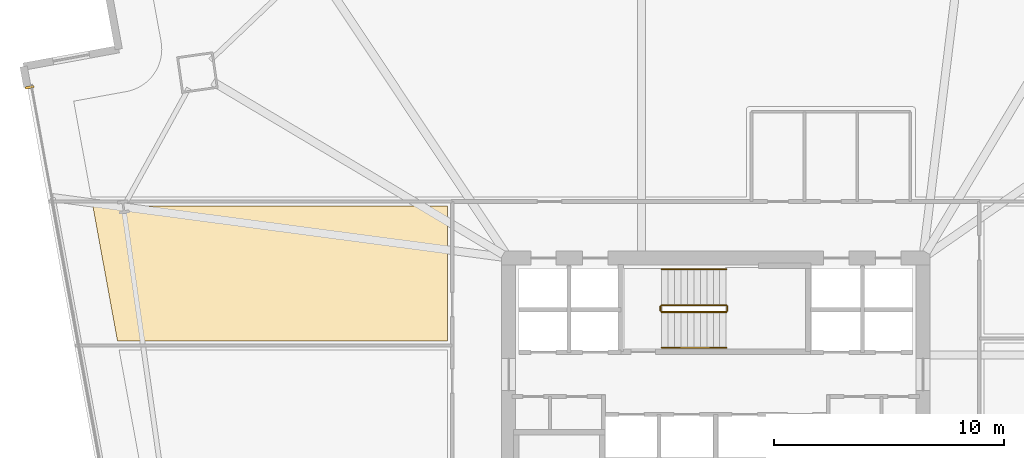
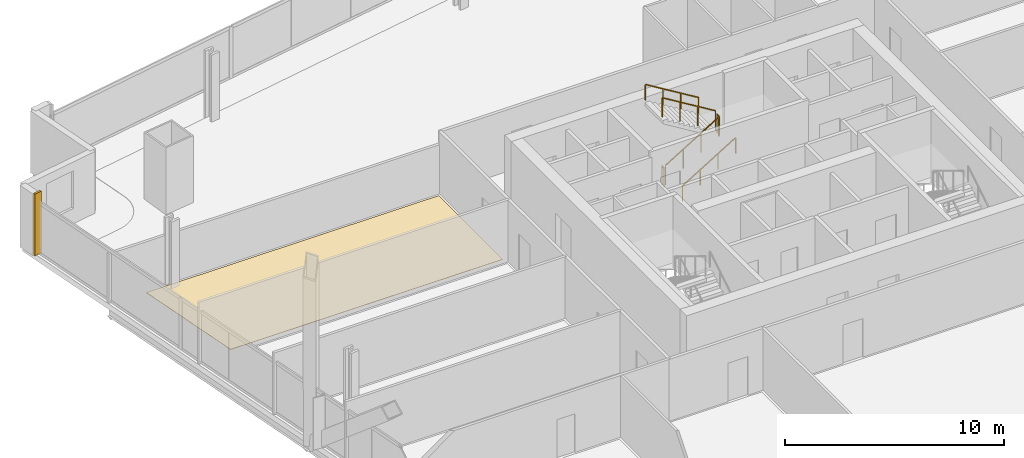
# One storey, part 33 of 34: 6 railings, 2 coverings.
"""IFC4 building model written with IfcOpenShell, lengths in metres."""

from ifc_helpers import new_model, si_unit, direction, frame, origin, origin_2d, place, context, subcontext, project, spatial, polyline, rectangle, outline, extrude, source, transform, mapped, material, layer, layer_set, type_object, element, save


model = new_model("IFC4")

# Units and contexts
model_context = context("Model", 3, precision=1e-05, world=origin(), true_north=direction((0.0, 1.0)))
body_context = subcontext(model_context, "Body", "Model", "MODEL_VIEW")
ifc_project = project(units=[si_unit("LENGTHUNIT", "METRE"), si_unit("AREAUNIT", "SQUARE_METRE"), si_unit("VOLUMEUNIT", "CUBIC_METRE"), si_unit("PLANEANGLEUNIT", "RADIAN"), si_unit("MASSUNIT", "GRAM", prefix="KILO")], contexts=[model_context])

# Site, building, storey
site_placement = place(None, origin())
site = spatial("IfcSite", under=ifc_project, at=site_placement, CompositionType="ELEMENT")
building_placement = place(site_placement, origin())
building = spatial("IfcBuilding", under=site, at=building_placement, Name="Haldenkirk Collegiate Tower", CompositionType="ELEMENT")
storey_placement = place(building_placement, frame((0.0, 0.0, 62.699951171875)))
storey = spatial("IfcBuildingStorey", under=building, at=storey_placement, Name="L14", CompositionType="ELEMENT", Elevation=62.699951171875)

# Covering
ifc_material_1 = material(Name="Engineered collegiate oak acoustic flooring", Category="wood")
ifc_layer_1 = layer(ifc_material_1, 0.02197265625)
ifc_layer_set_1 = layer_set([ifc_layer_1], Name="Engineered collegiate oak acoustic flooring")
covering_type_1 = type_object("IfcCoveringType", Name="COV-FLOOR-TIMBER", PredefinedType="FLOORING", material=ifc_layer_set_1)
covering_1_placement = place(storey_placement, origin())
element("IfcCovering", 1, at=covering_1_placement, inside=storey, type_object=covering_type_1, Name="L14 academic room finish 09", PredefinedType="FLOORING", context=body_context, shape_type="SweptSolid", body=[
    extrude(outline(polyline([(8.93798828125, 36.25), (24.35009765625, 36.25), (24.35009765625, 30.39990234375), (10.006591796875, 30.39990234375), (8.93798828125, 36.25)])), origin(), (0.0, 0.0, 1.0), 0.02197265625),
])

# Railings
ifc_material_2 = material(Name="Painted architectural tubular steel", Category="steel")
railing_type_1 = type_object("IfcRailingType", Name="RLG-STAIR-GUARD-1100", PredefinedType="BALUSTRADE", material=ifc_material_2)
railing_1_placement = place(storey_placement, frame((33.64990234375, 31.64990234375, 0.17041015625)))
element("IfcRailing", 2, at=railing_1_placement, inside=storey, type_object=railing_type_1, Name="L14 ST-3 stair guard 1", PredefinedType="BALUSTRADE", context=body_context, shape_type="SweptSolid", body=[
    extrude(rectangle(XDim=0.048095703125, YDim=0.048095703125, at=origin_2d()), frame((0.0, 0.0, 1.076171875), z_axis=(0.854169791009, 0.0, 0.51999420009), x_axis=(0.0, 1.0, 0.0)), (0.0, 0.0, 1.0), 3.278076171875),
    extrude(rectangle(XDim=0.0419921875, YDim=0.0419921875, at=origin_2d()), origin(), (0.0, 0.0, 1.0), 1.052001953125),
    extrude(rectangle(XDim=0.0419921875, YDim=0.0419921875, at=origin_2d()), frame((0.933349609375, 0.0, 0.568115234375)), (0.0, 0.0, 1.0), 1.052001953125),
    extrude(rectangle(XDim=0.0419921875, YDim=0.0419921875, at=origin_2d()), frame((1.86669921875, 0.0, 1.136474609375)), (0.0, 0.0, 1.0), 1.052001953125),
    extrude(rectangle(XDim=0.0419921875, YDim=0.0419921875, at=origin_2d()), frame((2.800048828125, 0.0, 1.70458984375)), (0.0, 0.0, 1.0), 1.052001953125),
])
railing_2_placement = place(storey_placement, frame((36.5, 31.699951171875, 1.875)))
element("IfcRailing", 3, at=railing_2_placement, inside=storey, type_object=railing_type_1, Name="L14 ST-3 stair guard 2", PredefinedType="BALUSTRADE", context=body_context, shape_type="SweptSolid", body=[
    extrude(rectangle(XDim=0.048095703125, YDim=0.048095703125, at=origin_2d()), frame((0.0, 0.0, 1.076171875), z_axis=(0.0, 1.0, 0.0), x_axis=(-1.0, 0.0, 0.0)), (0.0, 0.0, 1.0), 0.199951171875),
    extrude(rectangle(XDim=0.0419921875, YDim=0.0419921875, at=origin_2d()), origin(), (0.0, 0.0, 1.0), 1.052001953125),
    extrude(rectangle(XDim=0.0419921875, YDim=0.0419921875, at=origin_2d()), frame((0.0, 0.199951171875, 0.0)), (0.0, 0.0, 1.0), 1.052001953125),
])
railing_3_placement = place(storey_placement, frame((36.449951171875, 31.949951171875, 2.04541015625)))
element("IfcRailing", 4, at=railing_3_placement, inside=storey, type_object=railing_type_1, Name="L14 ST-3 stair guard 3", PredefinedType="BALUSTRADE", context=body_context, shape_type="SweptSolid", body=[
    extrude(rectangle(XDim=0.048095703125, YDim=0.048095703125, at=origin_2d()), frame((0.0, 0.0, 1.076171875), z_axis=(-0.854169791009, 0.0, 0.51999420009), x_axis=(0.0, -1.0, 0.0)), (0.0, 0.0, 1.0), 3.278076171875),
    extrude(rectangle(XDim=0.0419921875, YDim=0.0419921875, at=origin_2d()), origin(), (0.0, 0.0, 1.0), 1.052001953125),
    extrude(rectangle(XDim=0.0419921875, YDim=0.0419921875, at=origin_2d()), frame((-0.933349609375, 0.0, 0.568115234375)), (0.0, 0.0, 1.0), 1.052001953125),
    extrude(rectangle(XDim=0.0419921875, YDim=0.0419921875, at=origin_2d()), frame((-1.86669921875, 0.0, 1.136474609375)), (0.0, 0.0, 1.0), 1.052001953125),
    extrude(rectangle(XDim=0.0419921875, YDim=0.0419921875, at=origin_2d()), frame((-2.800048828125, 0.0, 1.70458984375)), (0.0, 0.0, 1.0), 1.052001953125),
])
railing_4_placement = place(storey_placement, frame((33.60009765625, 31.699951171875, 0.0)))
element("IfcRailing", 5, at=railing_4_placement, inside=storey, type_object=railing_type_1, Name="L14 ST-3 stair guard 4", PredefinedType="BALUSTRADE", context=body_context, shape_type="SweptSolid", body=[
    extrude(rectangle(XDim=0.048095703125, YDim=0.048095703125, at=origin_2d()), frame((0.0, 0.0, 1.076171875), z_axis=(0.0, 1.0, 0.0), x_axis=(-1.0, 0.0, 0.0)), (0.0, 0.0, 1.0), 0.199951171875),
    extrude(rectangle(XDim=0.0419921875, YDim=0.0419921875, at=origin_2d()), origin(), (0.0, 0.0, 1.0), 1.052001953125),
    extrude(rectangle(XDim=0.0419921875, YDim=0.0419921875, at=origin_2d()), frame((0.0, 0.199951171875, 0.0)), (0.0, 0.0, 1.0), 1.052001953125),
])
railing_type_2 = type_object("IfcRailingType", Name="RLG-STAIR-HANDRAIL-900", PredefinedType="HANDRAIL", material=ifc_material_2)
railing_5_placement = place(storey_placement, frame((33.64990234375, 30.10009765625, 0.17041015625)))
element("IfcRailing", 6, at=railing_5_placement, inside=storey, type_object=railing_type_2, Name="L14 ST-3 stair handrail 1", PredefinedType="HANDRAIL", context=body_context, shape_type="SweptSolid", body=[
    extrude(rectangle(XDim=0.048095703125, YDim=0.048095703125, at=origin_2d()), frame((0.0, 0.0, 0.8759765625), z_axis=(0.854169791009, 0.0, 0.51999420009), x_axis=(0.0, 1.0, 0.0)), (0.0, 0.0, 1.0), 3.278076171875),
    extrude(rectangle(XDim=0.0419921875, YDim=0.0419921875, at=origin_2d()), origin(), (0.0, 0.0, 1.0), 0.851806640625),
    extrude(rectangle(XDim=0.0419921875, YDim=0.0419921875, at=origin_2d()), frame((0.933349609375, 0.0, 0.568115234375)), (0.0, 0.0, 1.0), 0.851806640625),
    extrude(rectangle(XDim=0.0419921875, YDim=0.0419921875, at=origin_2d()), frame((1.86669921875, 0.0, 1.136474609375)), (0.0, 0.0, 1.0), 0.851806640625),
    extrude(rectangle(XDim=0.0419921875, YDim=0.0419921875, at=origin_2d()), frame((2.800048828125, 0.0, 1.70458984375)), (0.0, 0.0, 1.0), 0.851806640625),
])
railing_6_placement = place(storey_placement, frame((36.449951171875, 33.5, 2.04541015625)))
element("IfcRailing", 7, at=railing_6_placement, inside=storey, type_object=railing_type_2, Name="L14 ST-3 stair handrail 2", PredefinedType="HANDRAIL", context=body_context, shape_type="SweptSolid", body=[
    extrude(rectangle(XDim=0.048095703125, YDim=0.048095703125, at=origin_2d()), frame((0.0, 0.0, 0.8759765625), z_axis=(-0.854169791009, 0.0, 0.51999420009), x_axis=(0.0, -1.0, 0.0)), (0.0, 0.0, 1.0), 3.278076171875),
    extrude(rectangle(XDim=0.0419921875, YDim=0.0419921875, at=origin_2d()), origin(), (0.0, 0.0, 1.0), 0.851806640625),
    extrude(rectangle(XDim=0.0419921875, YDim=0.0419921875, at=origin_2d()), frame((-0.933349609375, 0.0, 0.568115234375)), (0.0, 0.0, 1.0), 0.851806640625),
    extrude(rectangle(XDim=0.0419921875, YDim=0.0419921875, at=origin_2d()), frame((-1.86669921875, 0.0, 1.136474609375)), (0.0, 0.0, 1.0), 0.851806640625),
    extrude(rectangle(XDim=0.0419921875, YDim=0.0419921875, at=origin_2d()), frame((-2.800048828125, 0.0, 1.70458984375)), (0.0, 0.0, 1.0), 0.851806640625),
])

# Covering
ifc_material_3 = material(Name="Anodised architectural bronze aluminium", Category="aluminium")
ifc_layer_2 = layer(ifc_material_3, 0.06005859375)
ifc_layer_set_2 = layer_set([ifc_layer_2], Name="Anodised architectural bronze aluminium")
covering_type_2 = type_object("IfcCoveringType", Name="COV-CLAD-BRONZE-60", PredefinedType="CLADDING", material=ifc_layer_set_2)
shared_shape = source(origin(), body_context, "Body", "SweptSolid", [
    extrude(rectangle(XDim=0.10009765625, YDim=0.3798828125, at=origin_2d()), origin(), (0.0, 0.0, 1.0), 3.43994140625),
])
covering_2_placement = place(storey_placement, frame((6.185546875, 41.414306640625, 0.0), z_axis=(0.0, 0.0, 1.0), x_axis=(-0.179660748593, 0.98372862895, 0.0)))
element("IfcCovering", 8, at=covering_2_placement, inside=storey, type_object=covering_type_2, Name="L14 recessed curtain-wall bronze jamb closure WJR", PredefinedType="CLADDING", context=body_context, shape_type="MappedRepresentation", body=[
    mapped(shared_shape, transform((0.0, 0.0, 0.0), x_axis=(1.0, 0.0, 0.0), y_axis=(0.0, 1.0, 0.0), z_axis=(0.0, 0.0, 1.0), scale=1.0)),
])

save(model, "model.ifc")
